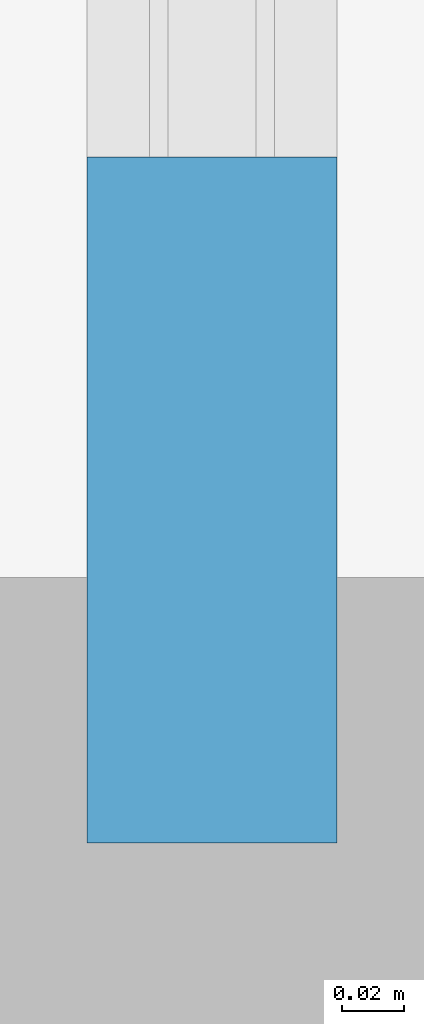
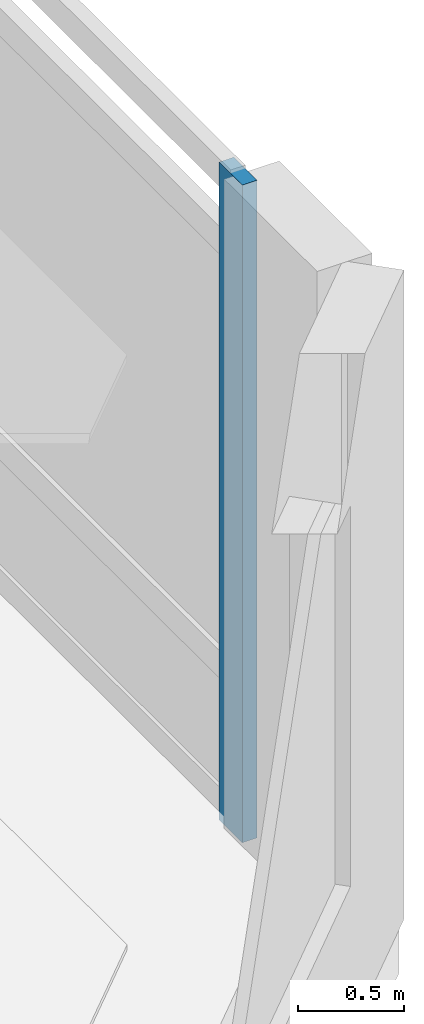
# One storey, part 3 of 11: 1 member, 1 element without a shape of its own.
"""IFC4 building model written with IfcOpenShell, lengths in metres."""

from ifc_helpers import new_model, si_unit, direction, frame, origin, origin_2d, place, context, subcontext, project, spatial, rectangle, extrude, source, transform, mapped, material, material_profile, profile_set, type_object, element, aggregate, save


model = new_model("IFC4")

# Units and contexts
model_context = context("Model", 3, precision=1e-05, world=origin(), true_north=direction((0.0, 1.0)))
body_context = subcontext(model_context, "Body", "Model", "MODEL_VIEW")
ifc_project = project(units=[si_unit("LENGTHUNIT", "METRE"), si_unit("AREAUNIT", "SQUARE_METRE"), si_unit("VOLUMEUNIT", "CUBIC_METRE"), si_unit("PLANEANGLEUNIT", "RADIAN"), si_unit("MASSUNIT", "GRAM", prefix="KILO")], contexts=[model_context])

# Site, building, storey
site_placement = place(None, origin())
site = spatial("IfcSite", under=ifc_project, at=site_placement, CompositionType="ELEMENT")
building_placement = place(site_placement, origin())
building = spatial("IfcBuilding", under=site, at=building_placement, Name="Calvemar Wedge Station Tower", CompositionType="ELEMENT")
storey_placement = place(building_placement, frame((0.0, 0.0, 43.0)))
storey = spatial("IfcBuildingStorey", under=building, at=storey_placement, Name="L10", CompositionType="ELEMENT", Elevation=43.0)

# Curtain wall, member
ifc_material = material(Name="Anodised aluminium 6063-T6", Category="aluminium")
curtain_wall_type = type_object("IfcCurtainWallType", Name="CW1", PredefinedType="NOTDEFINED", material=ifc_material)
curtain_wall_placement = place(storey_placement, origin())
curtain_wall = element("IfcCurtainWall", 1, at=curtain_wall_placement, inside=storey, type_object=curtain_wall_type, Name="Storey L10 CW1 Recessed Unitised Curtain Wall 8", PredefinedType="NOTDEFINED")
ifc_material_profile = material_profile(ifc_material, rectangle(XDim=0.080078125, YDim=0.219970703125, at=origin_2d()), Name="AL-MUL-80x220")
ifc_profile_set = profile_set([ifc_material_profile], Name="Anodised aluminium 6063-T6")
member_type = type_object("IfcMemberType", Name="CW1-MUL", PredefinedType="MULLION", material=ifc_profile_set)
shared_shape = source(origin(), body_context, "Body", "SweptSolid", [
    extrude(rectangle(XDim=0.080078125, YDim=0.219970703125, at=origin_2d()), origin(), (0.0, 0.0, 1.0), 3.800048828125),
])
member_placement = place(storey_placement, frame((60.7900390625, 33.6220703125, -0.050048828125), z_axis=(0.0, 0.0, 1.0), x_axis=(1.0, 0.0, 0.0)))
member = element("IfcMember", 2, at=member_placement, type_object=member_type, Name="CW1 mullion 1", PredefinedType="MULLION", context=body_context, shape_type="MappedRepresentation", body=[
    mapped(shared_shape, transform((0.0, 0.0, 0.0), scale=1.0)),
])
aggregate(curtain_wall, [member])

save(model, "model.ifc")
